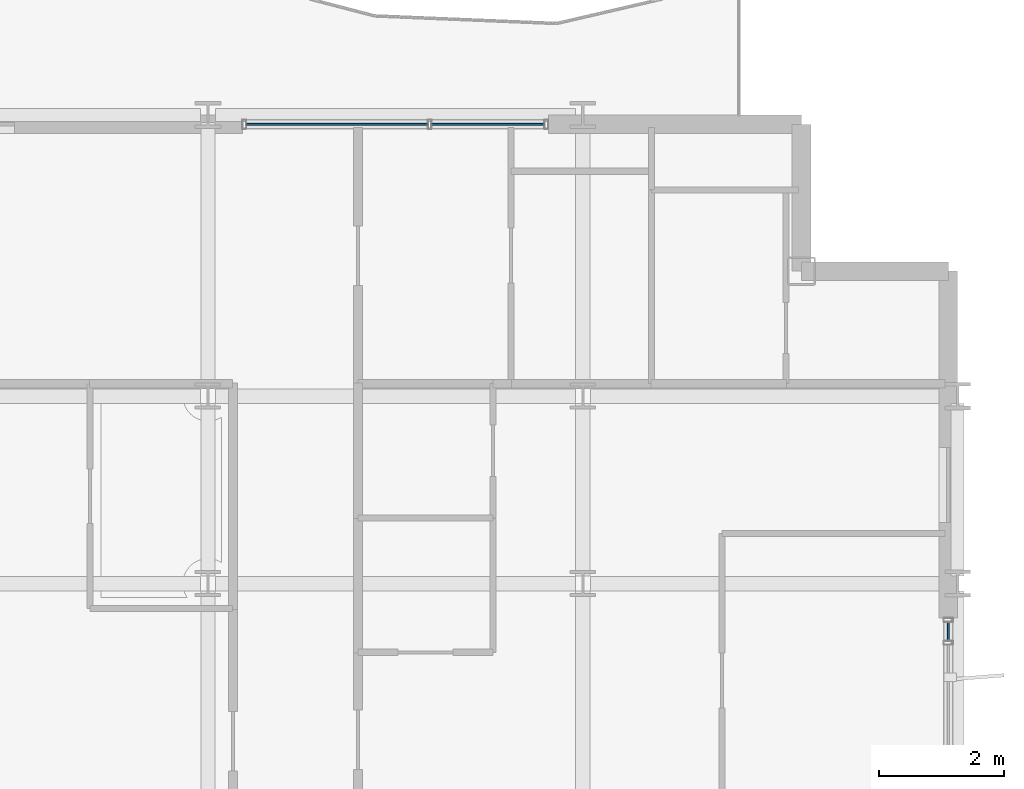
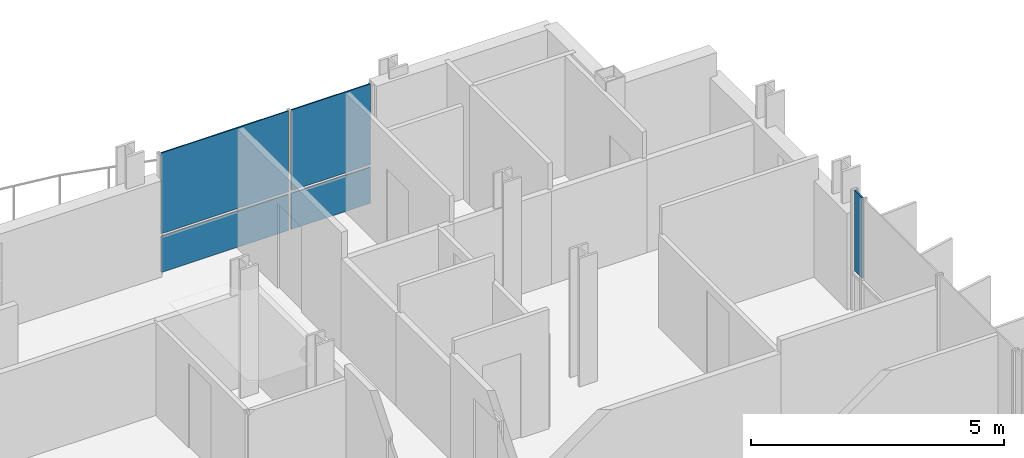
# One storey, part 24 of 39: 5 plates, 2 elements without a shape of their own.
"""IFC4 building model written with IfcOpenShell, lengths in metres."""

from ifc_helpers import new_model, si_unit, direction, frame, origin, origin_2d, place, context, subcontext, project, spatial, rectangle, extrude, material, layer, layer_set, type_object, element, aggregate, save


model = new_model("IFC4")

# Units and contexts
model_context = context("Model", 3, precision=1e-05, world=origin(), true_north=direction((0.0, 1.0)))
body_context = subcontext(model_context, "Body", "Model", "MODEL_VIEW")
ifc_project = project(units=[si_unit("LENGTHUNIT", "METRE"), si_unit("AREAUNIT", "SQUARE_METRE"), si_unit("VOLUMEUNIT", "CUBIC_METRE"), si_unit("PLANEANGLEUNIT", "RADIAN"), si_unit("MASSUNIT", "GRAM", prefix="KILO")], contexts=[model_context])

# Site, building, storey
site_placement = place(None, origin())
site = spatial("IfcSite", under=ifc_project, at=site_placement, CompositionType="ELEMENT")
building_placement = place(site_placement, origin())
building = spatial("IfcBuilding", under=site, at=building_placement, Name="Brevholm Reach", CompositionType="ELEMENT")
storey_placement = place(building_placement, frame((0.0, 0.0, 115.89990234375)))
storey = spatial("IfcBuildingStorey", under=building, at=storey_placement, Name="L34", CompositionType="ELEMENT", Elevation=115.89990234375)

# Curtain wall, plate
ifc_material_1 = material(Name="Dark Anodised Aluminium 6063-T6 and Solar-Control Glass", Category="aluminium")
ifc_layer_1 = layer(ifc_material_1, 0.14990234375)
ifc_layer_set_1 = layer_set([ifc_layer_1], Name="Dark Anodised Aluminium 6063-T6 and Solar-Control Glass")
curtain_wall_type = type_object("IfcCurtainWallType", Name="CW-01", PredefinedType="NOTDEFINED", material=ifc_layer_set_1)
curtain_wall_1_placement = place(storey_placement, origin())
curtain_wall_1 = element("IfcCurtainWall", 1, at=curtain_wall_1_placement, inside=storey, type_object=curtain_wall_type, Name="L34 Curtain Wall CW-01", PredefinedType="NOTDEFINED")
ifc_material_2 = material(Name="Dark Solar-Control Double-Glazed IGU Glass", Category="glass")
ifc_layer_2 = layer(ifc_material_2, 0.028076171875)
ifc_layer_set_2 = layer_set([ifc_layer_2], Name="Dark Solar-Control Double-Glazed IGU Glass")
plate_type = type_object("IfcPlateType", Name="CWP-GLZ-28", PredefinedType="CURTAIN_PANEL", material=ifc_layer_set_2)
plate_1_placement = place(storey_placement, frame((59.85009765625, 22.733642578125, 0.9326171875), z_axis=(0.0, 0.0, 1.0), x_axis=(0.0, 1.0, 0.0)))
plate_1 = element("IfcPlate", 2, at=plate_1_placement, type_object=plate_type, Name="CP-01 Glazing Panel 5.2", PredefinedType="CURTAIN_PANEL", context=body_context, shape_type="SweptSolid", body=[
    extrude(rectangle(XDim=0.302490234375, YDim=0.028076171875, at=origin_2d()), origin(), (0.0, 0.0, 1.0), 1.947509765625),
])
aggregate(curtain_wall_1, [plate_1])

# Curtain wall, plates
curtain_wall_2_placement = place(storey_placement, origin())
curtain_wall_2 = element("IfcCurtainWall", 3, at=curtain_wall_2_placement, inside=storey, type_object=curtain_wall_type, Name="L34 Curtain Wall CW-01", PredefinedType="NOTDEFINED")
plate_2_placement = place(storey_placement, frame((50.066162109375, 30.85009765625, 0.0), z_axis=(0.0, 0.0, 1.0), x_axis=(1.0, 0.0, 0.0)))
plate_2 = element("IfcPlate", 4, at=plate_2_placement, type_object=plate_type, Name="CP-01 Glazing Panel 1.1", PredefinedType="CURTAIN_PANEL", context=body_context, shape_type="SweptSolid", body=[
    extrude(rectangle(XDim=2.902587890625, YDim=0.028076171875, at=origin_2d()), origin(), (0.0, 0.0, 1.0), 0.867431640625),
])
plate_3_placement = place(storey_placement, frame((50.066162109375, 30.85009765625, 0.9326171875), z_axis=(0.0, 0.0, 1.0), x_axis=(1.0, 0.0, 0.0)))
plate_3 = element("IfcPlate", 5, at=plate_3_placement, type_object=plate_type, Name="CP-01 Glazing Panel 1.2", PredefinedType="CURTAIN_PANEL", context=body_context, shape_type="SweptSolid", body=[
    extrude(rectangle(XDim=2.902587890625, YDim=0.028076171875, at=origin_2d()), origin(), (0.0, 0.0, 1.0), 1.947509765625),
])
plate_4_placement = place(storey_placement, frame((52.483642578125, 30.85009765625, 0.0), z_axis=(0.0, 0.0, 1.0), x_axis=(1.0, 0.0, 0.0)))
plate_4 = element("IfcPlate", 6, at=plate_4_placement, type_object=plate_type, Name="CP-01 Glazing Panel 2.1", PredefinedType="CURTAIN_PANEL", context=body_context, shape_type="SweptSolid", body=[
    extrude(rectangle(XDim=1.802490234375, YDim=0.028076171875, at=origin_2d()), origin(), (0.0, 0.0, 1.0), 0.867431640625),
])
plate_5_placement = place(storey_placement, frame((52.483642578125, 30.85009765625, 0.9326171875), z_axis=(0.0, 0.0, 1.0), x_axis=(1.0, 0.0, 0.0)))
plate_5 = element("IfcPlate", 7, at=plate_5_placement, type_object=plate_type, Name="CP-01 Glazing Panel 2.2", PredefinedType="CURTAIN_PANEL", context=body_context, shape_type="SweptSolid", body=[
    extrude(rectangle(XDim=1.802490234375, YDim=0.028076171875, at=origin_2d()), origin(), (0.0, 0.0, 1.0), 1.947509765625),
])
aggregate(curtain_wall_2, [plate_2, plate_3, plate_4, plate_5])

save(model, "model.ifc")
